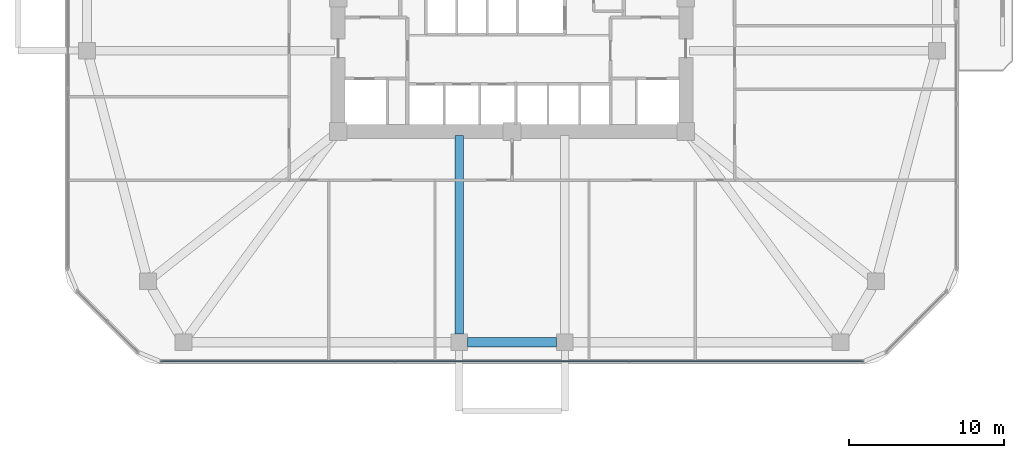
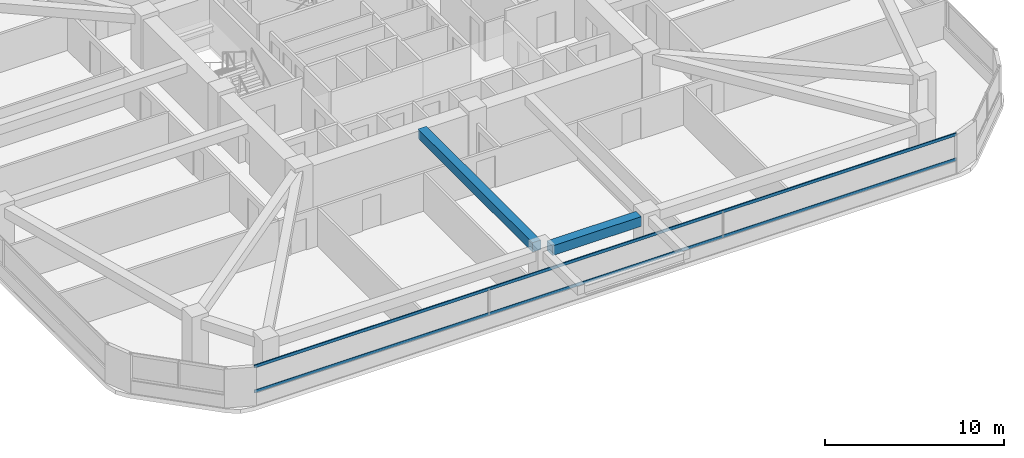
# One storey, part 3 of 14: 2 beams, 2 members, 1 element without a shape of its own.
"""IFC4 building model written with IfcOpenShell, lengths in metres."""

from ifc_helpers import new_model, si_unit, derived_unit, direction, frame, origin, origin_2d, place, context, subcontext, project, spatial, rectangle, extrude, material, material_profile, profile_set, type_object, element, aggregate, save


model = new_model("IFC4")

# Units and contexts
model_context = context("Model", 3, precision=1e-05, world=origin(), true_north=direction((0.0, 1.0)))
body_context = subcontext(model_context, "Body", "Model", "MODEL_VIEW")
ifc_project = project(units=[si_unit("LENGTHUNIT", "METRE"), si_unit("AREAUNIT", "SQUARE_METRE"), si_unit("VOLUMEUNIT", "CUBIC_METRE"), si_unit("PLANEANGLEUNIT", "RADIAN"), si_unit("MASSUNIT", "GRAM", prefix="KILO"), derived_unit("THERMALTRANSMITTANCEUNIT", [(si_unit("POWERUNIT", "WATT"), 1), (si_unit("LENGTHUNIT", "METRE"), -2), (si_unit("THERMODYNAMICTEMPERATUREUNIT", "KELVIN"), -1)])], contexts=[model_context])

# Site, building, storey
site_placement = place(None, origin())
site = spatial("IfcSite", under=ifc_project, at=site_placement, CompositionType="ELEMENT")
building_placement = place(site_placement, origin())
building = spatial("IfcBuilding", under=site, at=building_placement, Name="Koralith Skygarden Medical Center", CompositionType="ELEMENT")
storey_placement = place(building_placement, frame((0.0, 0.0, 45.5400390625)))
storey = spatial("IfcBuildingStorey", under=building, at=storey_placement, Name="L11", CompositionType="ELEMENT", Elevation=45.5400390625)

# Curtain wall, members
ifc_material_1 = material(Name="Clear Laminated Glass", Category="glass")
curtain_wall_type = type_object("IfcCurtainWallType", Name="CW-2 Zone 1 Hurricane Unitised Curtain Wall", PredefinedType="NOTDEFINED", material=ifc_material_1)
curtain_wall_placement = place(storey_placement, origin())
curtain_wall = element("IfcCurtainWall", 1, at=curtain_wall_placement, inside=storey, type_object=curtain_wall_type, Name="Curtain Wall CW-L11-S", PredefinedType="NOTDEFINED")
ifc_material_2 = material(Name="Aluminium 6063-T6", Category="aluminium")
ifc_material_profile_1 = material_profile(ifc_material_2, rectangle(XDim=0.06591796875, YDim=0.197998046875, at=origin_2d()), Name="TRN66X198")
ifc_profile_set_1 = profile_set([ifc_material_profile_1], Name="Aluminium 6063-T6")
member_type = type_object("IfcMemberType", Name="CW-2 Thermal Transom 66x198", PredefinedType="USERDEFINED", material=ifc_profile_set_1)
member_1_placement = place(storey_placement, frame((14.35498046875, 2.47998046875, 0.89990234375), z_axis=(1.0, 0.0, 0.0), x_axis=(0.0, 1.0, 0.0)))
member_1 = element("IfcMember", 2, at=member_1_placement, type_object=member_type, Name="CW-L11-S Transom 1", ObjectType="TRANSOM", PredefinedType="USERDEFINED", context=body_context, shape_type="SweptSolid", body=[
    extrude(rectangle(XDim=0.06591796875, YDim=0.197998046875, at=origin_2d()), origin(), (0.0, 0.0, 1.0), 45.2900390625),
])
member_2_placement = place(storey_placement, frame((14.35498046875, 2.47998046875, 2.599853515625), z_axis=(1.0, 0.0, 0.0), x_axis=(0.0, 1.0, 0.0)))
member_2 = element("IfcMember", 3, at=member_2_placement, type_object=member_type, Name="CW-L11-S Transom 2", ObjectType="TRANSOM", PredefinedType="USERDEFINED", context=body_context, shape_type="SweptSolid", body=[
    extrude(rectangle(XDim=0.06591796875, YDim=0.197998046875, at=origin_2d()), origin(), (0.0, 0.0, 1.0), 45.2900390625),
])
aggregate(curtain_wall, [member_1, member_2])

# Beams
ifc_material_3 = material(Name="Concrete C45/55", Category="concrete")
ifc_material_profile_2 = material_profile(ifc_material_3, rectangle(XDim=0.550048828125, YDim=0.639892578125, at=origin_2d()), Name="RCB550X640")
ifc_profile_set_2 = profile_set([ifc_material_profile_2], Name="Concrete C45/55")
beam_type_1 = type_object("IfcBeamType", Name="Radial Collector Beam RCB550X640", PredefinedType="BEAM", material=ifc_profile_set_2)
beam_1_placement = place(storey_placement, frame((33.60009765625, 17.050048828125, 3.0), z_axis=(0.0, -1.0, 0.0), x_axis=(1.0, 0.0, 0.0)))
element("IfcBeam", 4, at=beam_1_placement, inside=storey, type_object=beam_type_1, Name="L11 Radial Collector Beam RB-04", PredefinedType="BEAM", context=body_context, shape_type="SweptSolid", body=[
    extrude(rectangle(XDim=0.550048828125, YDim=0.639892578125, at=origin_2d()), origin(), (0.0, 0.0, 1.0), 12.800048828125),
])
ifc_material_profile_3 = material_profile(ifc_material_3, rectangle(XDim=0.60009765625, YDim=0.659912109375, at=origin_2d()), Name="RCB600X660")
ifc_profile_set_3 = profile_set([ifc_material_profile_3], Name="Concrete C45/55")
beam_type_2 = type_object("IfcBeamType", Name="Zone 1 Spandrel Beam RCB600X660", PredefinedType="SPANDREL", material=ifc_profile_set_3)
beam_2_placement = place(storey_placement, frame((34.1298828125, 3.719970703125, 2.989990234375), z_axis=(1.0, 0.0, 0.0), x_axis=(0.0, 1.0, 0.0)))
element("IfcBeam", 5, at=beam_2_placement, inside=storey, type_object=beam_type_2, Name="L11 Perimeter Spandrel Beam SP-04", PredefinedType="SPANDREL", context=body_context, shape_type="SweptSolid", body=[
    extrude(rectangle(XDim=0.60009765625, YDim=0.659912109375, at=origin_2d()), origin(), (0.0, 0.0, 1.0), 5.740234375),
])

save(model, "model.ifc")
